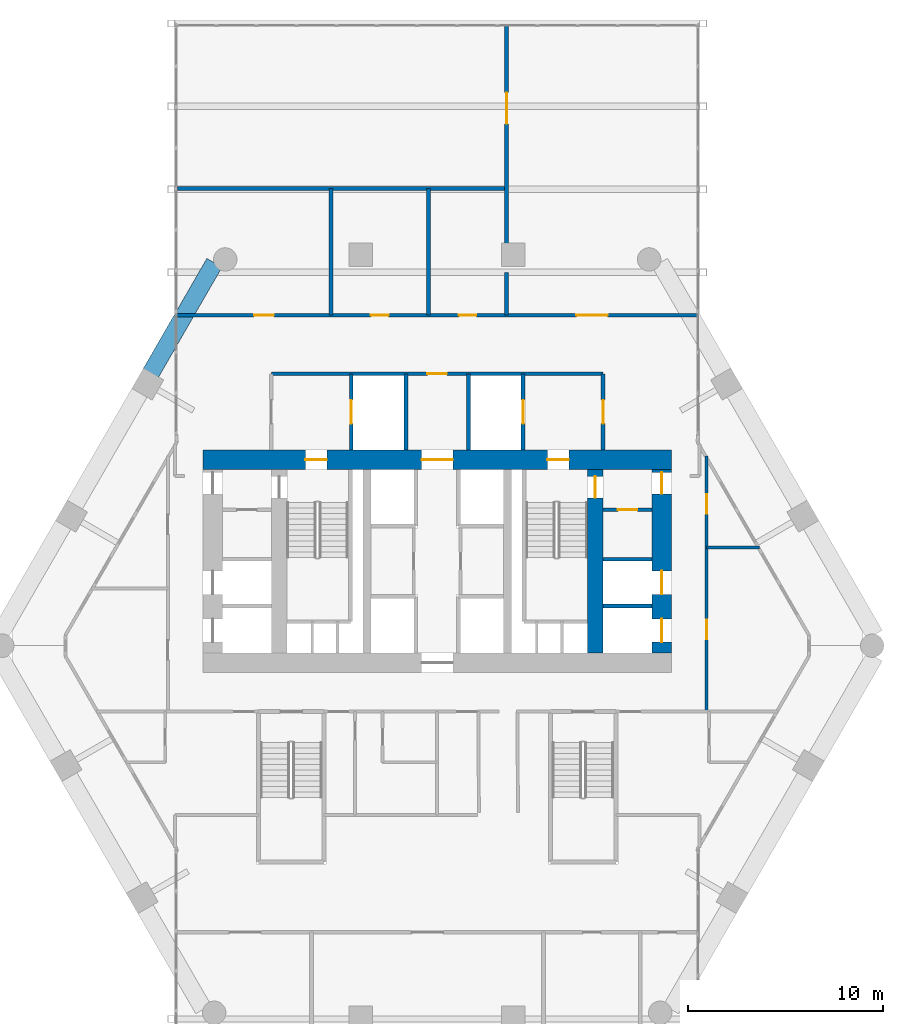
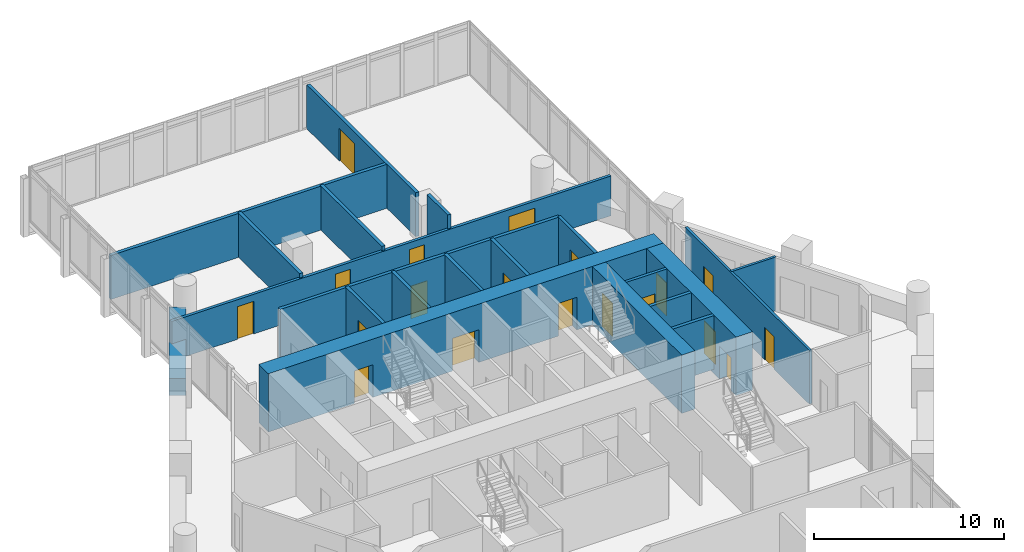
# One storey, part 26 of 28: 21 walls, 19 doors, 19 openings.
"""IFC4 building model written with IfcOpenShell, lengths in metres."""

from ifc_helpers import new_model, si_unit, direction, frame, frame_2d, origin, place, context, subcontext, project, spatial, rectangle, extrude, material, layer, layer_set, type_object, element, fill, save


model = new_model("IFC4")

# Units and contexts
model_context = context("Model", 3, precision=1e-05, world=origin(), true_north=direction((0.0, 1.0)))
body_context = subcontext(model_context, "Body", "Model", "MODEL_VIEW")
ifc_project = project(units=[si_unit("LENGTHUNIT", "METRE"), si_unit("AREAUNIT", "SQUARE_METRE"), si_unit("VOLUMEUNIT", "CUBIC_METRE"), si_unit("PLANEANGLEUNIT", "RADIAN"), si_unit("MASSUNIT", "GRAM", prefix="KILO")], contexts=[model_context])

# Site, building, storey
site_placement = place(None, origin())
site = spatial("IfcSite", under=ifc_project, at=site_placement, CompositionType="ELEMENT")
building_placement = place(site_placement, origin())
building = spatial("IfcBuilding", under=site, at=building_placement, Name="Ostrander Bayou Hotel Tower", CompositionType="ELEMENT")
storey_placement = place(building_placement, frame((0.0, 0.0, 100.5)))
storey = spatial("IfcBuildingStorey", under=building, at=storey_placement, Name="L25", CompositionType="ELEMENT", Elevation=100.5)

# Wall, openings, doors
ifc_material_1 = material(Name="Concrete f'c 70 MPa", Category="concrete")
ifc_layer_1 = layer(ifc_material_1, 1.0)
ifc_layer_set_1 = layer_set([ifc_layer_1], Name="CW4 core wall 1000 mm f'c 70 MPa")
wall_type_1 = type_object("IfcWallType", Name="CW4 core wall 1000 mm f'c 70 MPa", PredefinedType="SHEAR", material=ifc_layer_set_1)
wall_1_placement = place(storey_placement, frame((-12.0, 9.199951171875, -0.300048828125), z_axis=(0.0, 0.0, 1.0), x_axis=(1.0, 0.0, 0.0)))
wall_1 = element("IfcWall", 1, at=wall_1_placement, inside=storey, type_object=wall_type_1, Name="CW4 L25 N", PredefinedType="SHEAR", context=body_context, shape_type="SweptSolid", body=[
    extrude(rectangle(XDim=24.0, YDim=1.0, at=frame_2d((12.0, 0.0))), origin(), (0.0, 0.0, 1.0), 3.75),
])
opening_1_placement = place(wall_1_placement, frame((11.199951171875, 0.0, 0.0)))
opening_1 = element("IfcOpeningElement", 2, at=opening_1_placement, cuts=wall_1, Name="Opening T25-002", PredefinedType="OPENING", context=body_context, shape_type="SweptSolid", body=[
    extrude(rectangle(XDim=1.60009765625, YDim=2.10009765625, at=frame_2d((0.800048828125, 1.050048828125))), frame((0.0, 0.5, 0.0), z_axis=(0.0, -1.0, 0.0), x_axis=(1.0, 0.0, 0.0)), (0.0, 0.0, 1.0), 1.0),
])
opening_2_placement = place(wall_1_placement, frame((5.25, 0.0, 0.0)))
opening_2 = element("IfcOpeningElement", 3, at=opening_2_placement, cuts=wall_1, Name="Opening T25-003", PredefinedType="OPENING", context=body_context, shape_type="SweptSolid", body=[
    extrude(rectangle(XDim=1.10009765625, YDim=2.10009765625, at=frame_2d((0.550048828125, 1.050048828125))), frame((0.0, 0.5, 0.0), z_axis=(0.0, -1.0, 0.0), x_axis=(1.0, 0.0, 0.0)), (0.0, 0.0, 1.0), 1.0),
])
opening_3_placement = place(wall_1_placement, frame((17.64990234375, 0.0, 0.0)))
opening_3 = element("IfcOpeningElement", 4, at=opening_3_placement, cuts=wall_1, Name="Opening T25-005", PredefinedType="OPENING", context=body_context, shape_type="SweptSolid", body=[
    extrude(rectangle(XDim=1.10009765625, YDim=2.10009765625, at=frame_2d((0.550048828125, 1.050048828125))), frame((0.0, 0.5, 0.0), z_axis=(0.0, -1.0, 0.0), x_axis=(1.0, 0.0, 0.0)), (0.0, 0.0, 1.0), 1.0),
])
ifc_material_2 = material(Name="Timber door leaf", Category="wood")
door_type_1 = type_object("IfcDoorType", Name="D13 double door 1600 x 2100 mm, 1 hour", OperationType="SINGLE_SWING_LEFT", PredefinedType="DOOR", material=ifc_material_2)
door_1_placement = place(opening_1_placement, origin())
door_1 = element("IfcDoor", 5, at=door_1_placement, inside=storey, type_object=door_type_1, Name="dr:L25:002", OperationType="DOUBLE_DOOR_SINGLE_SWING", OverallHeight=2.10009765625, OverallWidth=1.60009765625, PredefinedType="DOOR", context=body_context, shape_type="SweptSolid", body=[
    extrude(rectangle(XDim=1.60009765625, YDim=2.10009765625, at=frame_2d((0.800048828125, 1.050048828125))), frame((0.0, 0.02490234375, 0.0), z_axis=(0.0, -1.0, 0.0), x_axis=(1.0, 0.0, 0.0)), (0.0, 0.0, 1.0), 0.050048828125),
])
fill(opening_1, door_1)
ifc_material_3 = material(Name="Timber door leaf", Category="wood")
door_type_2 = type_object("IfcDoorType", Name="D5 stair door 1100 x 2100 mm, 90 minute", OperationType="SINGLE_SWING_LEFT", PredefinedType="DOOR", material=ifc_material_3)
door_2_placement = place(opening_2_placement, origin())
door_2 = element("IfcDoor", 6, at=door_2_placement, inside=storey, type_object=door_type_2, Name="dr:L25:003", OperationType="SINGLE_SWING_LEFT", OverallHeight=2.10009765625, OverallWidth=1.10009765625, PredefinedType="DOOR", context=body_context, shape_type="SweptSolid", body=[
    extrude(rectangle(XDim=1.10009765625, YDim=2.10009765625, at=frame_2d((0.550048828125, 1.050048828125))), frame((0.0, 0.02490234375, 0.0), z_axis=(0.0, -1.0, 0.0), x_axis=(1.0, 0.0, 0.0)), (0.0, 0.0, 1.0), 0.050048828125),
])
fill(opening_2, door_2)
door_3_placement = place(opening_3_placement, origin())
door_3 = element("IfcDoor", 7, at=door_3_placement, inside=storey, type_object=door_type_2, Name="dr:L25:005", OperationType="SINGLE_SWING_RIGHT", OverallHeight=2.10009765625, OverallWidth=1.10009765625, PredefinedType="DOOR", context=body_context, shape_type="SweptSolid", body=[
    extrude(rectangle(XDim=1.10009765625, YDim=2.10009765625, at=frame_2d((0.550048828125, 1.050048828125))), frame((0.0, 0.02490234375, 0.0), z_axis=(0.0, -1.0, 0.0), x_axis=(1.0, 0.0, 0.0)), (0.0, 0.0, 1.0), 0.050048828125),
])
fill(opening_3, door_3)

wall_2_placement = place(storey_placement, frame((11.5, -0.699951171875, -0.300048828125), z_axis=(0.0, 0.0, 1.0), x_axis=(0.0, 1.0, 0.0)))
wall_2 = element("IfcWall", 8, at=wall_2_placement, inside=storey, type_object=wall_type_1, Name="CW4 L25 RE", PredefinedType="SHEAR", context=body_context, shape_type="SweptSolid", body=[
    extrude(rectangle(XDim=9.39990234375, YDim=1.0, at=frame_2d((4.699951171875, 0.0))), origin(), (0.0, 0.0, 1.0), 3.75),
])
opening_4_placement = place(wall_2_placement, frame((8.14990234375, 0.0, 0.0)))
opening_4 = element("IfcOpeningElement", 9, at=opening_4_placement, cuts=wall_2, Name="Opening T25-021", PredefinedType="OPENING", context=body_context, shape_type="SweptSolid", body=[
    extrude(rectangle(XDim=1.10009765625, YDim=2.10009765625, at=frame_2d((0.550048828125, 1.050048828125))), frame((0.0, 0.5, 0.0), z_axis=(0.0, -1.0, 0.0), x_axis=(1.0, 0.0, 0.0)), (0.0, 0.0, 1.0), 1.0),
])
opening_5_placement = place(wall_2_placement, frame((0.550048828125, 0.0, 0.0)))
opening_5 = element("IfcOpeningElement", 10, at=opening_5_placement, cuts=wall_2, Name="Opening T25-022", PredefinedType="OPENING", context=body_context, shape_type="SweptSolid", body=[
    extrude(rectangle(XDim=1.199951171875, YDim=2.10009765625, at=frame_2d((0.60009765625, 1.050048828125))), frame((0.0, 0.5, 0.0), z_axis=(0.0, -1.0, 0.0), x_axis=(1.0, 0.0, 0.0)), (0.0, 0.0, 1.0), 1.0),
])
opening_6_placement = place(wall_2_placement, frame((3.0, 0.0, 0.0)))
opening_6 = element("IfcOpeningElement", 11, at=opening_6_placement, cuts=wall_2, Name="Opening T25-023", PredefinedType="OPENING", context=body_context, shape_type="SweptSolid", body=[
    extrude(rectangle(XDim=1.199951171875, YDim=2.10009765625, at=frame_2d((0.60009765625, 1.050048828125))), frame((0.0, 0.5, 0.0), z_axis=(0.0, -1.0, 0.0), x_axis=(1.0, 0.0, 0.0)), (0.0, 0.0, 1.0), 1.0),
])
door_4_placement = place(opening_4_placement, origin())
door_4 = element("IfcDoor", 12, at=door_4_placement, inside=storey, type_object=door_type_2, Name="dr:L25:021", OperationType="SINGLE_SWING_RIGHT", OverallHeight=2.10009765625, OverallWidth=1.10009765625, PredefinedType="DOOR", context=body_context, shape_type="SweptSolid", body=[
    extrude(rectangle(XDim=1.10009765625, YDim=2.10009765625, at=frame_2d((0.550048828125, 1.050048828125))), frame((0.0, 0.02490234375, 0.0), z_axis=(0.0, -1.0, 0.0), x_axis=(1.0, 0.0, 0.0)), (0.0, 0.0, 1.0), 0.050048828125),
])
fill(opening_4, door_4)
ifc_material_4 = material(Name="Stainless steel sliding door", Category="steel")
door_type_3 = type_object("IfcDoorType", Name="LD1 lift landing door 1200 x 2100 mm", OperationType="SINGLE_SWING_LEFT", PredefinedType="DOOR", material=ifc_material_4)
door_5_placement = place(opening_5_placement, origin())
door_5 = element("IfcDoor", 13, at=door_5_placement, inside=storey, type_object=door_type_3, Name="dr:L25:022", OperationType="SLIDING_TO_LEFT", OverallHeight=2.10009765625, OverallWidth=1.199951171875, PredefinedType="DOOR", context=body_context, shape_type="SweptSolid", body=[
    extrude(rectangle(XDim=1.199951171875, YDim=2.10009765625, at=frame_2d((0.60009765625, 1.050048828125))), frame((0.0, 0.02490234375, 0.0), z_axis=(0.0, -1.0, 0.0), x_axis=(1.0, 0.0, 0.0)), (0.0, 0.0, 1.0), 0.050048828125),
])
fill(opening_5, door_5)
door_6_placement = place(opening_6_placement, origin())
door_6 = element("IfcDoor", 14, at=door_6_placement, inside=storey, type_object=door_type_3, Name="dr:L25:023", OperationType="SLIDING_TO_LEFT", OverallHeight=2.10009765625, OverallWidth=1.199951171875, PredefinedType="DOOR", context=body_context, shape_type="SweptSolid", body=[
    extrude(rectangle(XDim=1.199951171875, YDim=2.10009765625, at=frame_2d((0.60009765625, 1.050048828125))), frame((0.0, 0.02490234375, 0.0), z_axis=(0.0, -1.0, 0.0), x_axis=(1.0, 0.0, 0.0)), (0.0, 0.0, 1.0), 0.050048828125),
])
fill(opening_6, door_6)

# Wall, opening, door
ifc_material_5 = material(Name="Concrete f'c 70 MPa", Category="concrete")
ifc_layer_2 = layer(ifc_material_5, 0.800048828125)
ifc_layer_set_2 = layer_set([ifc_layer_2], Name="CW5 core spine wall 800 mm f'c 70 MPa")
wall_type_2 = type_object("IfcWallType", Name="CW5 core spine wall 800 mm f'c 70 MPa", PredefinedType="SHEAR", material=ifc_layer_set_2)
wall_3_placement = place(storey_placement, frame((8.10009765625, -0.699951171875, -0.300048828125), z_axis=(0.0, 0.0, 1.0), x_axis=(0.0, 1.0, 0.0)))
wall_3 = element("IfcWall", 15, at=wall_3_placement, inside=storey, type_object=wall_type_2, Name="CW5 L25 E", PredefinedType="SHEAR", context=body_context, shape_type="SweptSolid", body=[
    extrude(rectangle(XDim=9.39990234375, YDim=0.800048828125, at=frame_2d((4.699951171875, 0.0))), origin(), (0.0, 0.0, 1.0), 3.75),
])
opening_7_placement = place(wall_3_placement, frame((7.949951171875, 0.0, 0.0)))
opening_7 = element("IfcOpeningElement", 16, at=opening_7_placement, cuts=wall_3, Name="Opening T25-006", PredefinedType="OPENING", context=body_context, shape_type="SweptSolid", body=[
    extrude(rectangle(XDim=1.10009765625, YDim=2.10009765625, at=frame_2d((0.550048828125, 1.050048828125))), frame((0.0, 0.39990234375, 0.0), z_axis=(0.0, -1.0, 0.0), x_axis=(1.0, 0.0, 0.0)), (0.0, 0.0, 1.0), 0.800048828125),
])
door_7_placement = place(opening_7_placement, origin())
door_7 = element("IfcDoor", 17, at=door_7_placement, inside=storey, type_object=door_type_2, Name="dr:L25:006", OperationType="SINGLE_SWING_LEFT", OverallHeight=2.10009765625, OverallWidth=1.10009765625, PredefinedType="DOOR", context=body_context, shape_type="SweptSolid", body=[
    extrude(rectangle(XDim=1.10009765625, YDim=2.10009765625, at=frame_2d((0.550048828125, 1.050048828125))), frame((0.0, 0.02490234375, 0.0), z_axis=(0.0, -1.0, 0.0), x_axis=(1.0, 0.0, 0.0)), (0.0, 0.0, 1.0), 0.050048828125),
])
fill(opening_7, door_7)

# Walls
ifc_material_6 = material(Name="Concrete f'c 40 MPa", Category="concrete")
ifc_layer_3 = layer(ifc_material_6, 0.89990234375)
ifc_layer_set_3 = layer_set([ifc_layer_3], Name="PA1 stone-faced parapet 900 mm")
wall_type_3 = type_object("IfcWallType", Name="PA1 stone-faced parapet 900 mm", PredefinedType="PARAPET", material=ifc_layer_set_3)
wall_4_placement = place(storey_placement, frame((-11.407958984375, 19.286376953125, 0.0), z_axis=(0.0, 0.0, 1.0), x_axis=(-0.499971966783, -0.866041588165, 0.0)))
element("IfcWall", 18, at=wall_4_placement, inside=storey, type_object=wall_type_3, Name="PA1 L25 NW-1", PredefinedType="PARAPET", context=body_context, shape_type="SweptSolid", body=[
    extrude(rectangle(XDim=6.521728515625, YDim=0.89990234375, at=frame_2d((3.2607421875, 0.0))), origin(), (0.0, 0.0, 1.0), 1.10009765625),
])
ifc_material_7 = material(Name="Gypsum board partition", Category="finish")
ifc_layer_4 = layer(ifc_material_7, 0.199951171875)
ifc_layer_set_4 = layer_set([ifc_layer_4], Name="PT3 demising wall 200 mm acoustic double stud, 1 hour")
wall_type_4 = type_object("IfcWallType", Name="PT3 demising wall 200 mm acoustic double stud, 1 hour", PredefinedType="PARTITIONING", material=ifc_layer_set_4)
wall_5_placement = place(storey_placement, frame((-13.312255859375, 23.10009765625, 0.0), z_axis=(0.0, 0.0, 1.0), x_axis=(1.0, 0.0, 0.0)))
element("IfcWall", 19, at=wall_5_placement, inside=storey, type_object=wall_type_4, Name="sw:L25:505", PredefinedType="PARTITIONING", context=body_context, shape_type="SweptSolid", body=[
    extrude(rectangle(XDim=16.8701171875, YDim=0.199951171875, at=frame_2d((8.43505859375, 0.0))), origin(), (0.0, 0.0, 1.0), 2.828125),
])
for number, where, z_axis, x_axis, name in (
    (20, (-5.44189453125, 16.60009765625, 0.0), (0.0, 0.0, 1.0), (0.0, 1.0, 0.0), "sw:L25:507"),
    (21, (-0.44189453125, 16.60009765625, 0.0), (0.0, 0.0, 1.0), (0.0, 1.0, 0.0), "sw:L25:508"),
):
    element("IfcWall", number, at=place(storey_placement, frame(where, z_axis=z_axis, x_axis=x_axis)), inside=storey, type_object=wall_type_4, Name=name, PredefinedType="PARTITIONING", context=body_context, shape_type="SweptSolid", body=[
        extrude(rectangle(XDim=6.5, YDim=0.199951171875, at=frame_2d((3.25, 0.0))), origin(), (0.0, 0.0, 1.0), 2.828125),
    ])
wall_6_placement = place(storey_placement, frame((3.55810546875, 16.60009765625, 0.0), z_axis=(0.0, 0.0, 1.0), x_axis=(0.0, 1.0, 0.0)))
element("IfcWall", 22, at=wall_6_placement, inside=storey, type_object=wall_type_4, Name="sw:L25:509", PredefinedType="PARTITIONING", context=body_context, shape_type="SweptSolid", body=[
    extrude(rectangle(XDim=2.177001953125, YDim=0.199951171875, at=frame_2d((1.08837890625, 0.0))), origin(), (0.0, 0.0, 1.0), 3.449951171875),
])

# Wall, opening, door
wall_7_placement = place(storey_placement, frame((3.55810546875, 19.96826171875, 0.0), z_axis=(0.0, 0.0, 1.0), x_axis=(0.0, 1.0, 0.0)))
wall_7 = element("IfcWall", 23, at=wall_7_placement, inside=storey, type_object=wall_type_4, Name="sw:L25:510", PredefinedType="PARTITIONING", context=body_context, shape_type="SweptSolid", body=[
    extrude(rectangle(XDim=11.458251953125, YDim=0.199951171875, at=frame_2d((5.72900390625, 0.0))), origin(), (0.0, 0.0, 1.0), 2.828125),
])
opening_8_placement = place(wall_7_placement, frame((6.439453125, 0.0, 0.0)))
opening_8 = element("IfcOpeningElement", 24, at=opening_8_placement, cuts=wall_7, Name="Opening T25-1211", PredefinedType="OPENING", context=body_context, shape_type="SweptSolid", body=[
    extrude(rectangle(XDim=1.60009765625, YDim=2.10009765625, at=frame_2d((0.800048828125, 1.050048828125))), frame((0.0, 0.10009765625, 0.0), z_axis=(0.0, -1.0, 0.0), x_axis=(1.0, 0.0, 0.0)), (0.0, 0.0, 1.0), 0.199951171875),
])
door_8_placement = place(opening_8_placement, origin())
door_8 = element("IfcDoor", 25, at=door_8_placement, inside=storey, type_object=door_type_1, Name="dr:L25:1211", OperationType="DOUBLE_DOOR_SINGLE_SWING", OverallHeight=2.10009765625, OverallWidth=1.60009765625, PredefinedType="DOOR", context=body_context, shape_type="SweptSolid", body=[
    extrude(rectangle(XDim=1.60009765625, YDim=2.10009765625, at=frame_2d((0.800048828125, 1.050048828125))), frame((0.0, 0.02490234375, 0.0), z_axis=(0.0, -1.0, 0.0), x_axis=(1.0, 0.0, 0.0)), (0.0, 0.0, 1.0), 0.050048828125),
])
fill(opening_8, door_8)

ifc_material_8 = material(Name="Gypsum board partition", Category="finish")
ifc_layer_5 = layer(ifc_material_8, 0.175048828125)
ifc_layer_set_5 = layer_set([ifc_layer_5], Name="PT4 corridor wall 175 mm, 1 hour")
wall_type_5 = type_object("IfcWallType", Name="PT4 corridor wall 175 mm, 1 hour", PredefinedType="PARTITIONING", material=ifc_layer_set_5)
wall_8_placement = place(storey_placement, frame((8.5, 6.6298828125, 0.0), z_axis=(0.0, 0.0, 1.0), x_axis=(1.0, 0.0, 0.0)))
wall_8 = element("IfcWall", 26, at=wall_8_placement, inside=storey, type_object=wall_type_5, Name="cs:L25:039", PredefinedType="PARTITIONING", context=body_context, shape_type="SweptSolid", body=[
    extrude(rectangle(XDim=2.5, YDim=0.175048828125, at=frame_2d((1.25, 0.0))), origin(), (0.0, 0.0, 1.0), 3.449951171875),
])
opening_9_placement = place(wall_8_placement, frame((0.75, 0.0, 0.0)))
opening_9 = element("IfcOpeningElement", 27, at=opening_9_placement, cuts=wall_8, Name="Opening T25-020", PredefinedType="OPENING", context=body_context, shape_type="SweptSolid", body=[
    extrude(rectangle(XDim=1.0, YDim=2.10009765625, at=frame_2d((0.5, 1.050048828125))), frame((0.0, 0.08740234375, 0.0), z_axis=(0.0, -1.0, 0.0), x_axis=(1.0, 0.0, 0.0)), (0.0, 0.0, 1.0), 0.175048828125),
])
ifc_material_9 = material(Name="Timber door leaf", Category="wood")
door_type_4 = type_object("IfcDoorType", Name="D4 corridor door 1000 x 2100 mm, 1 hour", OperationType="SINGLE_SWING_LEFT", PredefinedType="DOOR", material=ifc_material_9)
door_9_placement = place(opening_9_placement, origin())
door_9 = element("IfcDoor", 28, at=door_9_placement, inside=storey, type_object=door_type_4, Name="dr:L25:020", OperationType="SINGLE_SWING_RIGHT", OverallHeight=2.10009765625, OverallWidth=1.0, PredefinedType="DOOR", context=body_context, shape_type="SweptSolid", body=[
    extrude(rectangle(XDim=1.0, YDim=2.10009765625, at=frame_2d((0.5, 1.050048828125))), frame((0.0, 0.02490234375, 0.0), z_axis=(0.0, -1.0, 0.0), x_axis=(1.0, 0.0, 0.0)), (0.0, 0.0, 1.0), 0.050048828125),
])
fill(opening_9, door_9)

# Wall, openings, doors
wall_9_placement = place(storey_placement, frame((-13.34814453125, 16.60009765625, 0.0), z_axis=(0.0, 0.0, 1.0), x_axis=(1.0, 0.0, 0.0)))
wall_9 = element("IfcWall", 29, at=wall_9_placement, inside=storey, type_object=wall_type_5, Name="sw:L25:501", PredefinedType="PARTITIONING", context=body_context, shape_type="SweptSolid", body=[
    extrude(rectangle(XDim=26.6962890625, YDim=0.175048828125, at=frame_2d((13.34814453125, 0.0))), origin(), (0.0, 0.0, 1.0), 2.550048828125),
])
opening_10_placement = place(wall_9_placement, frame((3.976806640625, 0.0, 0.0)))
opening_10 = element("IfcOpeningElement", 30, at=opening_10_placement, cuts=wall_9, Name="Opening T25-1207", PredefinedType="OPENING", context=body_context, shape_type="SweptSolid", body=[
    extrude(rectangle(XDim=1.0, YDim=2.10009765625, at=frame_2d((0.5, 1.050048828125))), frame((0.0, 0.08740234375, 0.0), z_axis=(0.0, -1.0, 0.0), x_axis=(1.0, 0.0, 0.0)), (0.0, 0.0, 1.0), 0.175048828125),
])
opening_11_placement = place(wall_9_placement, frame((9.9560546875, 0.0, 0.0)))
opening_11 = element("IfcOpeningElement", 31, at=opening_11_placement, cuts=wall_9, Name="Opening T25-1208", PredefinedType="OPENING", context=body_context, shape_type="SweptSolid", body=[
    extrude(rectangle(XDim=0.89990234375, YDim=2.10009765625, at=frame_2d((0.449951171875, 1.050048828125))), frame((0.0, 0.08740234375, 0.0), z_axis=(0.0, -1.0, 0.0), x_axis=(1.0, 0.0, 0.0)), (0.0, 0.0, 1.0), 0.175048828125),
])
opening_12_placement = place(wall_9_placement, frame((14.4560546875, 0.0, 0.0)))
opening_12 = element("IfcOpeningElement", 32, at=opening_12_placement, cuts=wall_9, Name="Opening T25-1209", PredefinedType="OPENING", context=body_context, shape_type="SweptSolid", body=[
    extrude(rectangle(XDim=0.89990234375, YDim=2.10009765625, at=frame_2d((0.449951171875, 1.050048828125))), frame((0.0, 0.08740234375, 0.0), z_axis=(0.0, -1.0, 0.0), x_axis=(1.0, 0.0, 0.0)), (0.0, 0.0, 1.0), 0.175048828125),
])
opening_13_placement = place(wall_9_placement, frame((20.4775390625, 0.0, 0.0)))
opening_13 = element("IfcOpeningElement", 33, at=opening_13_placement, cuts=wall_9, Name="Opening T25-1210", PredefinedType="OPENING", context=body_context, shape_type="SweptSolid", body=[
    extrude(rectangle(XDim=1.60009765625, YDim=2.10009765625, at=frame_2d((0.800048828125, 1.050048828125))), frame((0.0, 0.08740234375, 0.0), z_axis=(0.0, -1.0, 0.0), x_axis=(1.0, 0.0, 0.0)), (0.0, 0.0, 1.0), 0.175048828125),
])
door_10_placement = place(opening_13_placement, origin())
door_10 = element("IfcDoor", 34, at=door_10_placement, inside=storey, type_object=door_type_1, Name="dr:L25:1210", OperationType="DOUBLE_DOOR_SINGLE_SWING", OverallHeight=2.10009765625, OverallWidth=1.60009765625, PredefinedType="DOOR", context=body_context, shape_type="SweptSolid", body=[
    extrude(rectangle(XDim=1.60009765625, YDim=2.10009765625, at=frame_2d((0.800048828125, 1.050048828125))), frame((0.0, 0.02490234375, 0.0), z_axis=(0.0, -1.0, 0.0), x_axis=(1.0, 0.0, 0.0)), (0.0, 0.0, 1.0), 0.050048828125),
])
fill(opening_13, door_10)
ifc_material_10 = material(Name="Timber door leaf", Category="wood")
door_type_5 = type_object("IfcDoorType", Name="D8 room door 900 x 2100 mm", OperationType="SINGLE_SWING_LEFT", PredefinedType="DOOR", material=ifc_material_10)
door_11_placement = place(opening_11_placement, origin())
door_11 = element("IfcDoor", 35, at=door_11_placement, inside=storey, type_object=door_type_5, Name="dr:L25:1208", OperationType="SINGLE_SWING_RIGHT", OverallHeight=2.10009765625, OverallWidth=0.89990234375, PredefinedType="DOOR", context=body_context, shape_type="SweptSolid", body=[
    extrude(rectangle(XDim=0.89990234375, YDim=2.10009765625, at=frame_2d((0.449951171875, 1.050048828125))), frame((0.0, 0.02490234375, 0.0), z_axis=(0.0, -1.0, 0.0), x_axis=(1.0, 0.0, 0.0)), (0.0, 0.0, 1.0), 0.050048828125),
])
fill(opening_11, door_11)
door_12_placement = place(opening_12_placement, origin())
door_12 = element("IfcDoor", 36, at=door_12_placement, inside=storey, type_object=door_type_5, Name="dr:L25:1209", OperationType="SINGLE_SWING_LEFT", OverallHeight=2.10009765625, OverallWidth=0.89990234375, PredefinedType="DOOR", context=body_context, shape_type="SweptSolid", body=[
    extrude(rectangle(XDim=0.89990234375, YDim=2.10009765625, at=frame_2d((0.449951171875, 1.050048828125))), frame((0.0, 0.02490234375, 0.0), z_axis=(0.0, -1.0, 0.0), x_axis=(1.0, 0.0, 0.0)), (0.0, 0.0, 1.0), 0.050048828125),
])
fill(opening_12, door_12)
ifc_material_11 = material(Name="Timber door leaf", Category="wood")
door_type_6 = type_object("IfcDoorType", Name="D9 service door 1000 x 2100 mm, 30 minute", OperationType="SINGLE_SWING_LEFT", PredefinedType="DOOR", material=ifc_material_11)
door_13_placement = place(opening_10_placement, origin())
door_13 = element("IfcDoor", 37, at=door_13_placement, inside=storey, type_object=door_type_6, Name="dr:L25:1207", OperationType="SINGLE_SWING_LEFT", OverallHeight=2.10009765625, OverallWidth=1.0, PredefinedType="DOOR", context=body_context, shape_type="SweptSolid", body=[
    extrude(rectangle(XDim=1.0, YDim=2.10009765625, at=frame_2d((0.5, 1.050048828125))), frame((0.0, 0.02490234375, 0.0), z_axis=(0.0, -1.0, 0.0), x_axis=(1.0, 0.0, 0.0)), (0.0, 0.0, 1.0), 0.050048828125),
])
fill(opening_10, door_13)

# Wall, opening, door
ifc_material_12 = material(Name="Masonry block", Category="masonry")
ifc_layer_6 = layer(ifc_material_12, 0.199951171875)
ifc_layer_set_6 = layer_set([ifc_layer_6], Name="PT5 stair enclosure wall 200 mm masonry, 2 hour")
wall_type_6 = type_object("IfcWallType", Name="PT5 stair enclosure wall 200 mm masonry, 2 hour", PredefinedType="PARTITIONING", material=ifc_layer_set_6)
wall_10_placement = place(storey_placement, frame((-8.5, 13.60009765625, 0.0), z_axis=(0.0, 0.0, 1.0), x_axis=(1.0, 0.0, 0.0)))
wall_10 = element("IfcWall", 38, at=wall_10_placement, inside=storey, type_object=wall_type_6, Name="cs:L25:025", PredefinedType="PARTITIONING", context=body_context, shape_type="SweptSolid", body=[
    extrude(rectangle(XDim=17.0, YDim=0.199951171875, at=frame_2d((8.5, 0.0))), origin(), (0.0, 0.0, 1.0), 3.449951171875),
])
opening_14_placement = place(wall_10_placement, frame((8.0, 0.0, 0.0)))
opening_14 = element("IfcOpeningElement", 39, at=opening_14_placement, cuts=wall_10, Name="Opening T25-013", PredefinedType="OPENING", context=body_context, shape_type="SweptSolid", body=[
    extrude(rectangle(XDim=1.0, YDim=2.10009765625, at=frame_2d((0.5, 1.050048828125))), frame((0.0, 0.10009765625, 0.0), z_axis=(0.0, -1.0, 0.0), x_axis=(1.0, 0.0, 0.0)), (0.0, 0.0, 1.0), 0.199951171875),
])
door_14_placement = place(opening_14_placement, origin())
door_14 = element("IfcDoor", 40, at=door_14_placement, inside=storey, type_object=door_type_6, Name="dr:L25:013", OperationType="SINGLE_SWING_LEFT", OverallHeight=2.10009765625, OverallWidth=1.0, PredefinedType="DOOR", context=body_context, shape_type="SweptSolid", body=[
    extrude(rectangle(XDim=1.0, YDim=2.10009765625, at=frame_2d((0.5, 1.050048828125))), frame((0.0, 0.02490234375, 0.0), z_axis=(0.0, -1.0, 0.0), x_axis=(1.0, 0.0, 0.0)), (0.0, 0.0, 1.0), 0.050048828125),
])
fill(opening_14, door_14)

wall_11_placement = place(storey_placement, frame((8.5, 9.699951171875, 0.0), z_axis=(0.0, 0.0, 1.0), x_axis=(0.0, 1.0, 0.0)))
wall_11 = element("IfcWall", 41, at=wall_11_placement, inside=storey, type_object=wall_type_6, Name="cs:L25:027", PredefinedType="PARTITIONING", context=body_context, shape_type="SweptSolid", body=[
    extrude(rectangle(XDim=3.900146484375, YDim=0.199951171875, at=frame_2d((1.9501953125, 0.0))), origin(), (0.0, 0.0, 1.0), 3.449951171875),
])
opening_15_placement = place(wall_11_placement, frame((1.35009765625, 0.0, 0.0)))
opening_15 = element("IfcOpeningElement", 42, at=opening_15_placement, cuts=wall_11, Name="Opening T25-012", PredefinedType="OPENING", context=body_context, shape_type="SweptSolid", body=[
    extrude(rectangle(XDim=1.199951171875, YDim=2.10009765625, at=frame_2d((0.60009765625, 1.050048828125))), frame((0.0, 0.10009765625, 0.0), z_axis=(0.0, -1.0, 0.0), x_axis=(1.0, 0.0, 0.0)), (0.0, 0.0, 1.0), 0.199951171875),
])
ifc_material_13 = material(Name="Timber door leaf", Category="wood")
door_type_7 = type_object("IfcDoorType", Name="D7 lobby door 1200 x 2100 mm, 1 hour", OperationType="SINGLE_SWING_LEFT", PredefinedType="DOOR", material=ifc_material_13)
door_15_placement = place(opening_15_placement, origin())
door_15 = element("IfcDoor", 43, at=door_15_placement, inside=storey, type_object=door_type_7, Name="dr:L25:012", OperationType="SINGLE_SWING_LEFT", OverallHeight=2.10009765625, OverallWidth=1.199951171875, PredefinedType="DOOR", context=body_context, shape_type="SweptSolid", body=[
    extrude(rectangle(XDim=1.199951171875, YDim=2.10009765625, at=frame_2d((0.60009765625, 1.050048828125))), frame((0.0, 0.02490234375, 0.0), z_axis=(0.0, -1.0, 0.0), x_axis=(1.0, 0.0, 0.0)), (0.0, 0.0, 1.0), 0.050048828125),
])
fill(opening_15, door_15)

wall_12_placement = place(storey_placement, frame((-4.39990234375, 9.699951171875, 0.0), z_axis=(0.0, 0.0, 1.0), x_axis=(0.0, 1.0, 0.0)))
wall_12 = element("IfcWall", 44, at=wall_12_placement, inside=storey, type_object=wall_type_6, Name="cs:L25:028", PredefinedType="PARTITIONING", context=body_context, shape_type="SweptSolid", body=[
    extrude(rectangle(XDim=3.900146484375, YDim=0.199951171875, at=frame_2d((1.9501953125, 0.0))), origin(), (0.0, 0.0, 1.0), 3.449951171875),
])
opening_16_placement = place(wall_12_placement, frame((1.35009765625, 0.0, 0.0)))
opening_16 = element("IfcOpeningElement", 45, at=opening_16_placement, cuts=wall_12, Name="Opening T25-009", PredefinedType="OPENING", context=body_context, shape_type="SweptSolid", body=[
    extrude(rectangle(XDim=1.199951171875, YDim=2.10009765625, at=frame_2d((0.60009765625, 1.050048828125))), frame((0.0, 0.10009765625, 0.0), z_axis=(0.0, -1.0, 0.0), x_axis=(1.0, 0.0, 0.0)), (0.0, 0.0, 1.0), 0.199951171875),
])
door_16_placement = place(opening_16_placement, origin())
door_16 = element("IfcDoor", 46, at=door_16_placement, inside=storey, type_object=door_type_3, Name="dr:L25:009", OperationType="SLIDING_TO_LEFT", OverallHeight=2.10009765625, OverallWidth=1.199951171875, PredefinedType="DOOR", context=body_context, shape_type="SweptSolid", body=[
    extrude(rectangle(XDim=1.199951171875, YDim=2.10009765625, at=frame_2d((0.60009765625, 1.050048828125))), frame((0.0, 0.02490234375, 0.0), z_axis=(0.0, -1.0, 0.0), x_axis=(1.0, 0.0, 0.0)), (0.0, 0.0, 1.0), 0.050048828125),
])
fill(opening_16, door_16)

wall_13_placement = place(storey_placement, frame((4.39990234375, 9.699951171875, 0.0), z_axis=(0.0, 0.0, 1.0), x_axis=(0.0, 1.0, 0.0)))
wall_13 = element("IfcWall", 47, at=wall_13_placement, inside=storey, type_object=wall_type_6, Name="cs:L25:029", PredefinedType="PARTITIONING", context=body_context, shape_type="SweptSolid", body=[
    extrude(rectangle(XDim=3.900146484375, YDim=0.199951171875, at=frame_2d((1.9501953125, 0.0))), origin(), (0.0, 0.0, 1.0), 3.449951171875),
])
opening_17_placement = place(wall_13_placement, frame((1.35009765625, 0.0, 0.0)))
opening_17 = element("IfcOpeningElement", 48, at=opening_17_placement, cuts=wall_13, Name="Opening T25-011", PredefinedType="OPENING", context=body_context, shape_type="SweptSolid", body=[
    extrude(rectangle(XDim=1.199951171875, YDim=2.10009765625, at=frame_2d((0.60009765625, 1.050048828125))), frame((0.0, 0.10009765625, 0.0), z_axis=(0.0, -1.0, 0.0), x_axis=(1.0, 0.0, 0.0)), (0.0, 0.0, 1.0), 0.199951171875),
])
door_17_placement = place(opening_17_placement, origin())
door_17 = element("IfcDoor", 49, at=door_17_placement, inside=storey, type_object=door_type_3, Name="dr:L25:011", OperationType="SLIDING_TO_LEFT", OverallHeight=2.10009765625, OverallWidth=1.199951171875, PredefinedType="DOOR", context=body_context, shape_type="SweptSolid", body=[
    extrude(rectangle(XDim=1.199951171875, YDim=2.10009765625, at=frame_2d((0.60009765625, 1.050048828125))), frame((0.0, 0.02490234375, 0.0), z_axis=(0.0, -1.0, 0.0), x_axis=(1.0, 0.0, 0.0)), (0.0, 0.0, 1.0), 0.050048828125),
])
fill(opening_17, door_17)

# Walls
ifc_material_14 = material(Name="Masonry block", Category="masonry")
ifc_layer_7 = layer(ifc_material_14, 0.199951171875)
ifc_layer_set_7 = layer_set([ifc_layer_7], Name="PT6 lift shaft wall 200 mm masonry, 2 hour")
wall_type_7 = type_object("IfcWallType", Name="PT6 lift shaft wall 200 mm masonry, 2 hour", PredefinedType="PARTITIONING", material=ifc_layer_set_7)
for number, where, z_axis, x_axis, name in (
    (50, (-1.60009765625, 9.699951171875, 0.0), (0.0, 0.0, 1.0), (0.0, 1.0, 0.0), "cs:L25:030"),
    (51, (1.60009765625, 9.699951171875, 0.0), (0.0, 0.0, 1.0), (0.0, 1.0, 0.0), "cs:L25:031"),
):
    element("IfcWall", number, at=place(storey_placement, frame(where, z_axis=z_axis, x_axis=x_axis)), inside=storey, type_object=wall_type_7, Name=name, PredefinedType="PARTITIONING", context=body_context, shape_type="SweptSolid", body=[
        extrude(rectangle(XDim=3.900146484375, YDim=0.199951171875, at=frame_2d((1.9501953125, 0.0))), origin(), (0.0, 0.0, 1.0), 3.449951171875),
    ])
for number, where, z_axis, x_axis, name in (
    (52, (8.5, 1.699951171875, 0.0), (0.0, 0.0, 1.0), (1.0, 0.0, 0.0), "cs:L25:037"),
    (53, (8.5, 4.10009765625, 0.0), (0.0, 0.0, 1.0), (1.0, 0.0, 0.0), "cs:L25:038"),
):
    element("IfcWall", number, at=place(storey_placement, frame(where, z_axis=z_axis, x_axis=x_axis)), inside=storey, type_object=wall_type_7, Name=name, PredefinedType="PARTITIONING", context=body_context, shape_type="SweptSolid", body=[
        extrude(rectangle(XDim=2.5, YDim=0.199951171875, at=frame_2d((1.25, 0.0))), origin(), (0.0, 0.0, 1.0), 3.449951171875),
    ])
ifc_material_15 = material(Name="Gypsum board partition", Category="finish")
ifc_layer_8 = layer(ifc_material_15, 0.14990234375)
ifc_layer_set_8 = layer_set([ifc_layer_8], Name="PT8 service band wall 150 mm, 1 hour")
wall_type_8 = type_object("IfcWallType", Name="PT8 service band wall 150 mm, 1 hour", PredefinedType="PARTITIONING", material=ifc_layer_set_8)
wall_14_placement = place(storey_placement, frame((13.800048828125, 4.699951171875, 0.0), z_axis=(0.0, 0.0, 1.0), x_axis=(1.0, 0.0, 0.0)))
element("IfcWall", 54, at=wall_14_placement, inside=storey, type_object=wall_type_8, Name="gw:L25:012", PredefinedType="PARTITIONING", context=body_context, shape_type="SweptSolid", body=[
    extrude(rectangle(XDim=2.703857421875, YDim=0.14990234375, at=frame_2d((1.35205078125, 0.0))), origin(), (0.0, 0.0, 1.0), 3.449951171875),
])

# Wall, openings, doors
wall_15_placement = place(storey_placement, frame((13.800048828125, -3.699951171875, 0.0), z_axis=(0.0, 0.0, 1.0), x_axis=(0.0, 1.0, 0.0)))
wall_15 = element("IfcWall", 55, at=wall_15_placement, inside=storey, type_object=wall_type_8, Name="gw:L25:016", PredefinedType="PARTITIONING", context=body_context, shape_type="SweptSolid", body=[
    extrude(rectangle(XDim=13.0830078125, YDim=0.14990234375, at=frame_2d((6.54150390625, 0.0))), origin(), (0.0, 0.0, 1.0), 3.449951171875),
])
opening_18_placement = place(wall_15_placement, frame((3.699951171875, 0.0, 0.0)))
opening_18 = element("IfcOpeningElement", 56, at=opening_18_placement, cuts=wall_15, Name="Opening T25-410", PredefinedType="OPENING", context=body_context, shape_type="SweptSolid", body=[
    extrude(rectangle(XDim=1.0, YDim=2.10009765625, at=frame_2d((0.5, 1.050048828125))), frame((0.0, 0.074951171875, 0.0), z_axis=(0.0, -1.0, 0.0), x_axis=(1.0, 0.0, 0.0)), (0.0, 0.0, 1.0), 0.14990234375),
])
opening_19_placement = place(wall_15_placement, frame((10.1201171875, 0.0, 0.0)))
opening_19 = element("IfcOpeningElement", 57, at=opening_19_placement, cuts=wall_15, Name="Opening T25-411", PredefinedType="OPENING", context=body_context, shape_type="SweptSolid", body=[
    extrude(rectangle(XDim=1.0, YDim=2.10009765625, at=frame_2d((0.5, 1.050048828125))), frame((0.0, 0.074951171875, 0.0), z_axis=(0.0, -1.0, 0.0), x_axis=(1.0, 0.0, 0.0)), (0.0, 0.0, 1.0), 0.14990234375),
])
ifc_material_16 = material(Name="Timber door leaf", Category="wood")
door_type_8 = type_object("IfcDoorType", Name="D15 room door 1000 x 2100 mm", OperationType="SINGLE_SWING_LEFT", PredefinedType="DOOR", material=ifc_material_16)
door_18_placement = place(opening_18_placement, origin())
door_18 = element("IfcDoor", 58, at=door_18_placement, inside=storey, type_object=door_type_8, Name="dr:L25:410", OperationType="SINGLE_SWING_LEFT", OverallHeight=2.10009765625, OverallWidth=1.0, PredefinedType="DOOR", context=body_context, shape_type="SweptSolid", body=[
    extrude(rectangle(XDim=1.0, YDim=2.10009765625, at=frame_2d((0.5, 1.050048828125))), frame((0.0, 0.02490234375, 0.0), z_axis=(0.0, -1.0, 0.0), x_axis=(1.0, 0.0, 0.0)), (0.0, 0.0, 1.0), 0.050048828125),
])
fill(opening_18, door_18)
door_19_placement = place(opening_19_placement, origin())
door_19 = element("IfcDoor", 59, at=door_19_placement, inside=storey, type_object=door_type_6, Name="dr:L25:411", OperationType="SINGLE_SWING_LEFT", OverallHeight=2.10009765625, OverallWidth=1.0, PredefinedType="DOOR", context=body_context, shape_type="SweptSolid", body=[
    extrude(rectangle(XDim=1.0, YDim=2.10009765625, at=frame_2d((0.5, 1.050048828125))), frame((0.0, 0.02490234375, 0.0), z_axis=(0.0, -1.0, 0.0), x_axis=(1.0, 0.0, 0.0)), (0.0, 0.0, 1.0), 0.050048828125),
])
fill(opening_19, door_19)

save(model, "model.ifc")
